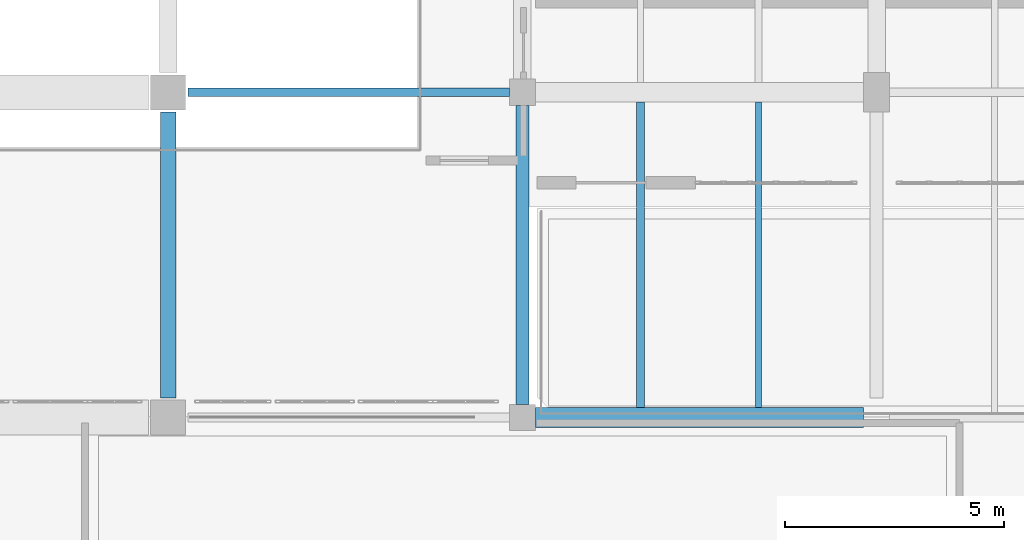
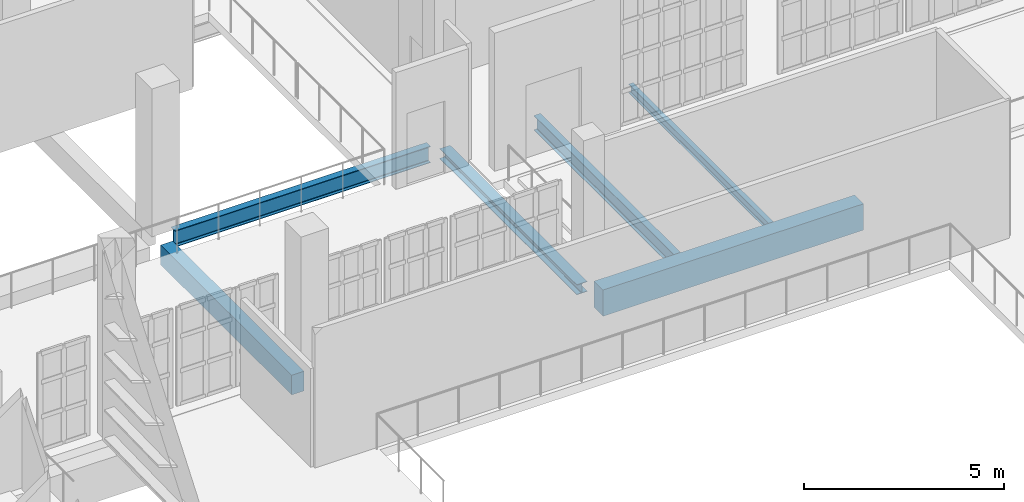
# One storey, part 19 of 73: 6 beams.
"""IFC4 building model written with IfcOpenShell, lengths in metres."""

from ifc_helpers import new_model, si_unit, direction, frame, origin, origin_2d, place, context, subcontext, project, spatial, rectangle, i_section, extrude, material, material_profile, profile_set, type_object, element, save


model = new_model("IFC4")

# Units and contexts
model_context = context("Model", 3, precision=1e-05, world=origin(), true_north=direction((0.0, 1.0)))
body_context = subcontext(model_context, "Body", "Model", "MODEL_VIEW")
ifc_project = project(units=[si_unit("LENGTHUNIT", "METRE"), si_unit("AREAUNIT", "SQUARE_METRE"), si_unit("VOLUMEUNIT", "CUBIC_METRE"), si_unit("PLANEANGLEUNIT", "RADIAN"), si_unit("MASSUNIT", "GRAM", prefix="KILO")], contexts=[model_context])

# Site, building, storey
site_placement = place(None, origin())
site = spatial("IfcSite", under=ifc_project, at=site_placement, CompositionType="ELEMENT")
building_placement = place(site_placement, origin())
building = spatial("IfcBuilding", under=site, at=building_placement, Name="Kaelora Sail Theatre", CompositionType="ELEMENT")
storey_placement = place(building_placement, frame((0.0, 0.0, 10.199951171875)))
storey = spatial("IfcBuildingStorey", under=building, at=storey_placement, Name="L02", CompositionType="ELEMENT", Elevation=10.199951171875)

# Beams
ifc_material_1 = material(Name="Steel S355", Category="steel")
ifc_material_profile_1 = material_profile(ifc_material_1, i_section(OverallWidth=0.300048828125, OverallDepth=0.31005859375, WebThickness=0.009033203125, FlangeThickness=0.015380859375, FilletRadius=0.027099609375, at=origin_2d()), Name="HEA 320")
ifc_profile_set_1 = profile_set([ifc_material_profile_1], Name="Steel S355")
beam_type_1 = type_object("IfcBeamType", Name="STR-BM-BM-HEA320", PredefinedType="BEAM", material=ifc_profile_set_1)
beam_1_placement = place(storey_placement, frame((90.60009765625, 61.320068359375, -0.449951171875), z_axis=(0.0, 1.0, 0.0), x_axis=(-1.0, 0.0, 0.0)))
element("IfcBeam", 1, at=beam_1_placement, inside=storey, type_object=beam_type_1, Name="Primary beam 12 I-J (L02)", PredefinedType="BEAM", context=body_context, shape_type="SweptSolid", body=[
    extrude(i_section(OverallWidth=0.300048828125, OverallDepth=0.31005859375, WebThickness=0.009033203125, FlangeThickness=0.015380859375, FilletRadius=0.027099609375, at=origin_2d()), origin(), (0.0, 0.0, 1.0), 6.83984375),
])
ifc_material_2 = material(Name="Steel S355", Category="steel")
ifc_material_profile_2 = material_profile(ifc_material_2, i_section(OverallWidth=0.18994140625, OverallDepth=0.449951171875, WebThickness=0.009521484375, FlangeThickness=0.0146484375, FilletRadius=0.02099609375, at=origin_2d()), Name="IPE 450")
ifc_profile_set_2 = profile_set([ifc_material_profile_2], Name="Steel S355")
beam_type_2 = type_object("IfcBeamType", Name="STR-BM-BM-IPE450", PredefinedType="BEAM", material=ifc_profile_set_2)
beam_2_placement = place(storey_placement, frame((93.300048828125, 61.2451171875, -0.52001953125), z_axis=(0.0, 1.0, 0.0), x_axis=(-1.0, 0.0, 0.0)))
element("IfcBeam", 2, at=beam_2_placement, inside=storey, type_object=beam_type_2, Name="Secondary floor joist 12/I-1 (L02)", PredefinedType="BEAM", context=body_context, shape_type="SweptSolid", body=[
    extrude(i_section(OverallWidth=0.18994140625, OverallDepth=0.449951171875, WebThickness=0.009521484375, FlangeThickness=0.0146484375, FilletRadius=0.02099609375, at=origin_2d()), origin(), (0.0, 0.0, 1.0), 6.989990234375),
])
ifc_material_3 = material(Name="Steel S355", Category="steel")
ifc_material_profile_3 = material_profile(ifc_material_3, i_section(OverallWidth=0.199951171875, OverallDepth=0.5, WebThickness=0.01025390625, FlangeThickness=0.01611328125, FilletRadius=0.02099609375, at=origin_2d()), Name="IPE 500")
ifc_profile_set_3 = profile_set([ifc_material_profile_3], Name="Steel S355")
beam_type_3 = type_object("IfcBeamType", Name="STR-BM-BM-IPE500", PredefinedType="BEAM", material=ifc_profile_set_3)
beam_3_placement = place(storey_placement, frame((82.949951171875, 68.4599609375, -0.544921875), z_axis=(1.0, 0.0, 0.0), x_axis=(0.0, 1.0, 0.0)))
element("IfcBeam", 3, at=beam_3_placement, inside=storey, type_object=beam_type_3, Name="Primary beam J 11-12 (L02)", PredefinedType="BEAM", context=body_context, shape_type="SweptSolid", body=[
    extrude(i_section(OverallWidth=0.199951171875, OverallDepth=0.5, WebThickness=0.01025390625, FlangeThickness=0.01611328125, FilletRadius=0.02099609375, at=origin_2d()), origin(), (0.0, 0.0, 1.0), 7.35009765625),
])
ifc_material_4 = material(Name="Concrete C40/50", Category="concrete")
ifc_material_profile_4 = material_profile(ifc_material_4, rectangle(XDim=0.35009765625, YDim=0.60009765625, at=origin_2d()), Name="RC-BM 350x600")
ifc_profile_set_4 = profile_set([ifc_material_profile_4], Name="Concrete C40/50")
beam_type_4 = type_object("IfcBeamType", Name="STR-BM-BM-RC3560", PredefinedType="BEAM", material=ifc_profile_set_4)
beam_4_placement = place(storey_placement, frame((82.5, 61.469970703125, -0.594970703125), z_axis=(0.0, 1.0, 0.0), x_axis=(-1.0, 0.0, 0.0)))
element("IfcBeam", 4, at=beam_4_placement, inside=storey, type_object=beam_type_4, Name="Primary beam 11 I-J (L02)", PredefinedType="BEAM", context=body_context, shape_type="SweptSolid", body=[
    extrude(rectangle(XDim=0.35009765625, YDim=0.60009765625, at=origin_2d()), origin(), (0.0, 0.0, 1.0), 6.5400390625),
])
ifc_material_5 = material(Name="Concrete C45/55", Category="concrete")
ifc_material_profile_5 = material_profile(ifc_material_5, rectangle(XDim=0.449951171875, YDim=0.800048828125, at=origin_2d()), Name="RC-BM 450x800")
ifc_profile_set_5 = profile_set([ifc_material_profile_5], Name="Concrete C45/55")
beam_type_5 = type_object("IfcBeamType", Name="STR-BM-BM-RC4580", PredefinedType="BEAM", material=ifc_profile_set_5)
beam_5_placement = place(storey_placement, frame((90.89990234375, 61.02001953125, -0.695068359375), z_axis=(1.0, 0.0, 0.0), x_axis=(0.0, 1.0, 0.0)))
element("IfcBeam", 5, at=beam_5_placement, inside=storey, type_object=beam_type_5, Name="Primary beam I 12-13 (L02)", PredefinedType="BEAM", context=body_context, shape_type="SweptSolid", body=[
    extrude(rectangle(XDim=0.449951171875, YDim=0.800048828125, at=origin_2d()), origin(), (0.0, 0.0, 1.0), 7.5),
])
ifc_material_6 = material(Name="Steel S355", Category="steel")
ifc_material_profile_6 = material_profile(ifc_material_6, i_section(OverallWidth=0.135009765625, OverallDepth=0.27001953125, WebThickness=0.006591796875, FlangeThickness=0.01025390625, FilletRadius=0.014892578125, at=origin_2d()), Name="IPE 270")
ifc_profile_set_6 = profile_set([ifc_material_profile_6], Name="Steel S355")
beam_type_6 = type_object("IfcBeamType", Name="STR-BM-JS-IPE270", PredefinedType="JOIST", material=ifc_profile_set_6)
beam_6_placement = place(storey_placement, frame((96.0, 61.2451171875, -0.429931640625), z_axis=(0.0, 1.0, 0.0), x_axis=(-1.0, 0.0, 0.0)))
element("IfcBeam", 6, at=beam_6_placement, inside=storey, type_object=beam_type_6, Name="Secondary floor joist 12/I-2 (L02)", PredefinedType="JOIST", context=body_context, shape_type="SweptSolid", body=[
    extrude(i_section(OverallWidth=0.135009765625, OverallDepth=0.27001953125, WebThickness=0.006591796875, FlangeThickness=0.01025390625, FilletRadius=0.014892578125, at=origin_2d()), origin(), (0.0, 0.0, 1.0), 6.989990234375),
])

save(model, "model.ifc")
